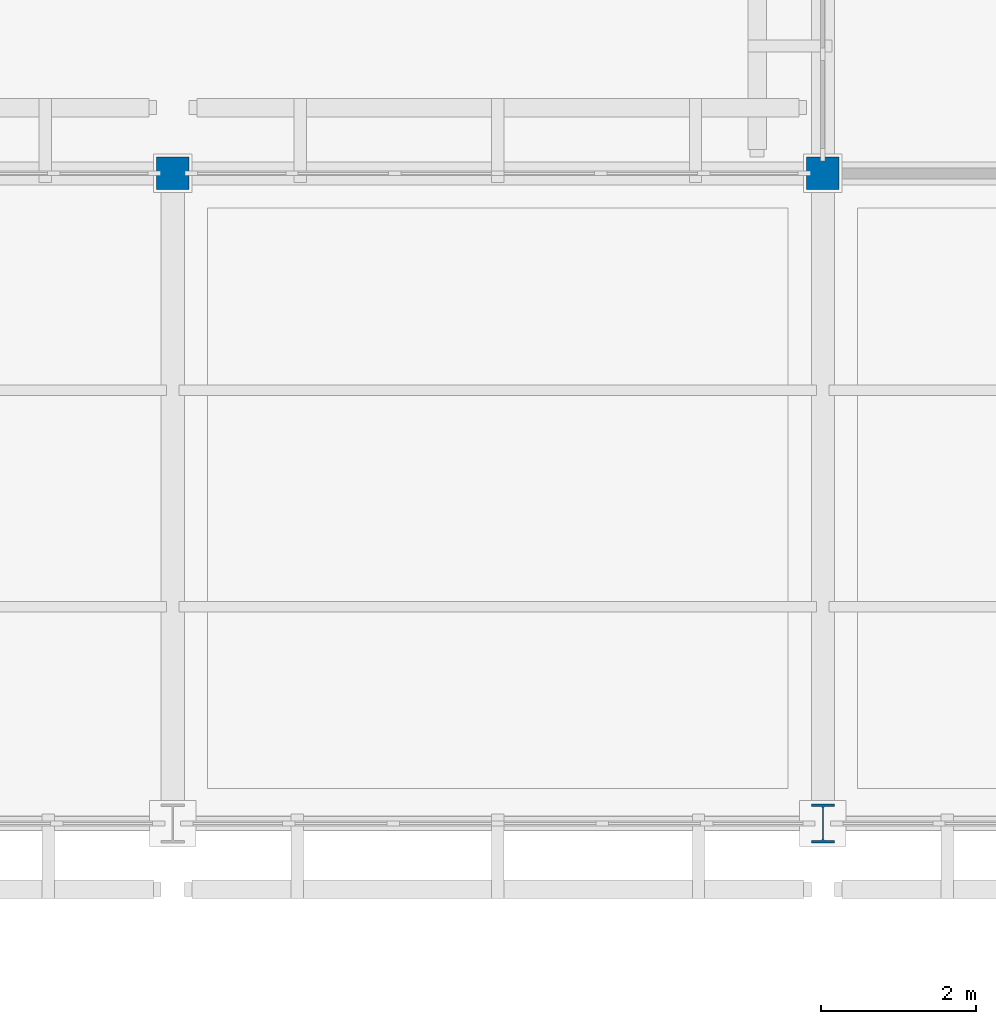
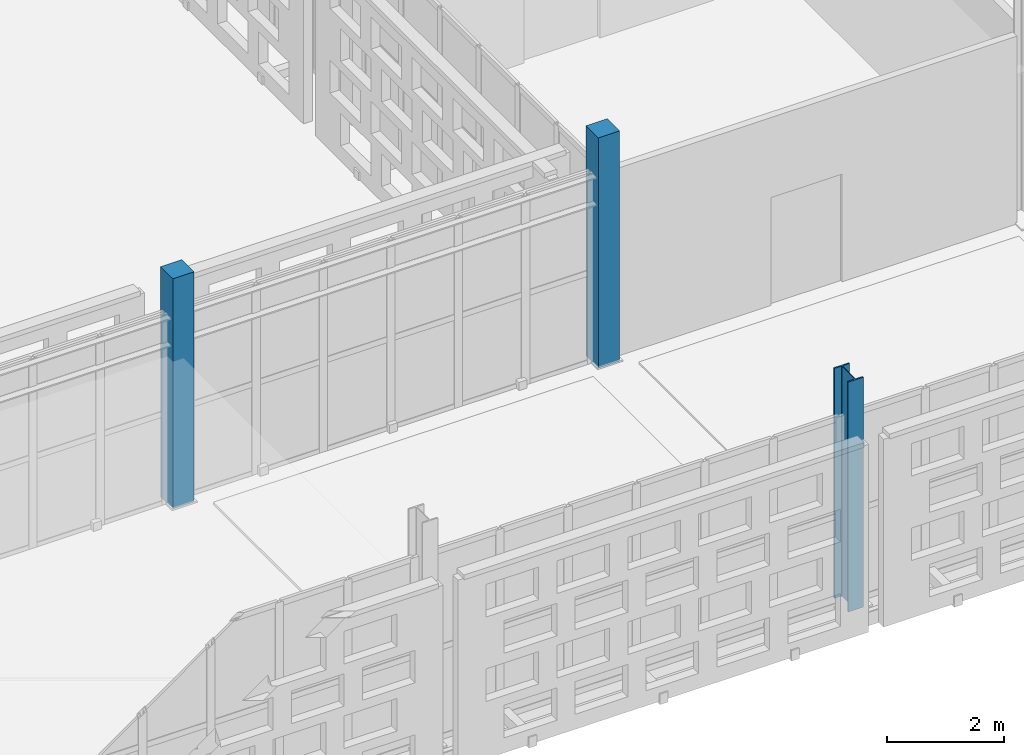
# One storey, part 8 of 203: 3 columns.
"""IFC4 building model written with IfcOpenShell, lengths in metres."""

from ifc_helpers import new_model, si_unit, direction, frame, origin, origin_2d, place, context, subcontext, project, spatial, rectangle, i_section, extrude, material, material_profile, profile_set, type_object, element, save


model = new_model("IFC4")

# Units and contexts
model_context = context("Model", 3, precision=1e-05, world=origin(), true_north=direction((0.0, 1.0)))
body_context = subcontext(model_context, "Body", "Model", "MODEL_VIEW")
ifc_project = project(units=[si_unit("LENGTHUNIT", "METRE"), si_unit("AREAUNIT", "SQUARE_METRE"), si_unit("VOLUMEUNIT", "CUBIC_METRE"), si_unit("PLANEANGLEUNIT", "RADIAN"), si_unit("MASSUNIT", "GRAM", prefix="KILO")], contexts=[model_context])

# Site, building, storey
site_placement = place(None, origin())
site = spatial("IfcSite", under=ifc_project, at=site_placement, CompositionType="ELEMENT")
building_placement = place(site_placement, origin())
building = spatial("IfcBuilding", under=site, at=building_placement, Name="Varnapada Polytechnic", CompositionType="ELEMENT")
storey_placement = place(building_placement, frame((0.0, 0.0, 4.800048828125)))
storey = spatial("IfcBuildingStorey", under=building, at=storey_placement, Name="L01", CompositionType="ELEMENT", Elevation=4.800048828125)

# Columns
ifc_material_1 = material(Name="Steel S355", Category="steel")
ifc_material_profile_1 = material_profile(ifc_material_1, i_section(OverallWidth=0.300048828125, OverallDepth=0.5, WebThickness=0.014404296875, FlangeThickness=0.028076171875, FilletRadius=0.027099609375, at=origin_2d()), Name="HEB 500")
ifc_profile_set_1 = profile_set([ifc_material_profile_1], Name="Steel S355")
column_type_1 = type_object("IfcColumnType", Name="Column C-06 (HEB 500)", PredefinedType="COLUMN", material=ifc_profile_set_1)
column_placement = place(storey_placement, frame((126.0, 84.0, 0.0), z_axis=(0.0, 0.0, 1.0), x_axis=(1.0, 0.0, 0.0)))
element("IfcColumn", 1, at=column_placement, inside=storey, type_object=column_type_1, Name="L01 column 16/11", PredefinedType="COLUMN", context=body_context, shape_type="SweptSolid", body=[
    extrude(i_section(OverallWidth=0.300048828125, OverallDepth=0.5, WebThickness=0.014404296875, FlangeThickness=0.028076171875, FilletRadius=0.027099609375, at=origin_2d()), origin(), (0.0, 0.0, 1.0), 4.800048828125),
])
ifc_material_2 = material(Name="Glulam GL32h", Category="wood")
ifc_material_profile_2 = material_profile(ifc_material_2, rectangle(XDim=0.419921875, YDim=0.419921875, at=origin_2d()), Name="GL 420x420")
ifc_profile_set_2 = profile_set([ifc_material_profile_2], Name="Glulam GL32h")
column_type_2 = type_object("IfcColumnType", Name="Column C-23 (GL 420x420)", PredefinedType="COLUMN", material=ifc_profile_set_2)
for number, where, z_axis, x_axis, name in (
    (2, (117.60009765625, 92.39990234375, 0.0), (0.0, 0.0, 1.0), (1.0, 0.0, 0.0), "L01 column 15/12"),
    (3, (126.0, 92.39990234375, 0.0), (0.0, 0.0, 1.0), (1.0, 0.0, 0.0), "L01 column 16/12"),
):
    element("IfcColumn", number, at=place(storey_placement, frame(where, z_axis=z_axis, x_axis=x_axis)), inside=storey, type_object=column_type_2, Name=name, PredefinedType="COLUMN", context=body_context, shape_type="SweptSolid", body=[
        extrude(rectangle(XDim=0.419921875, YDim=0.419921875, at=origin_2d()), origin(), (0.0, 0.0, 1.0), 4.800048828125),
    ])

save(model, "model.ifc")
